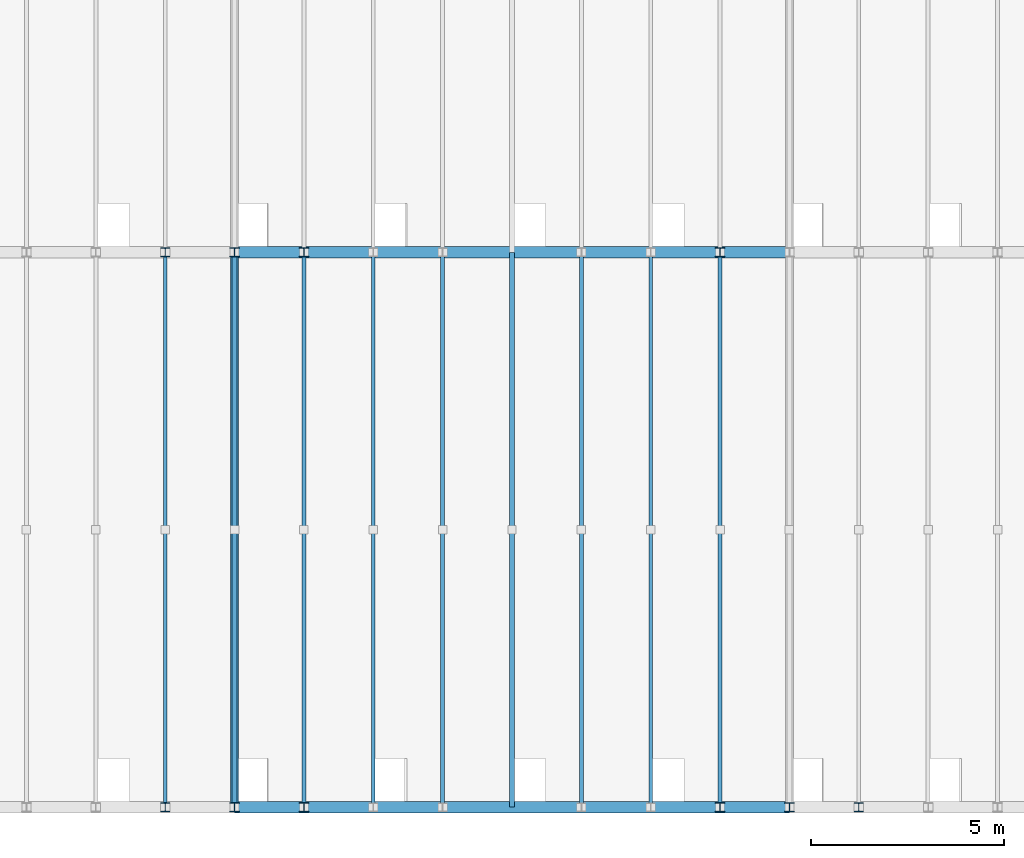
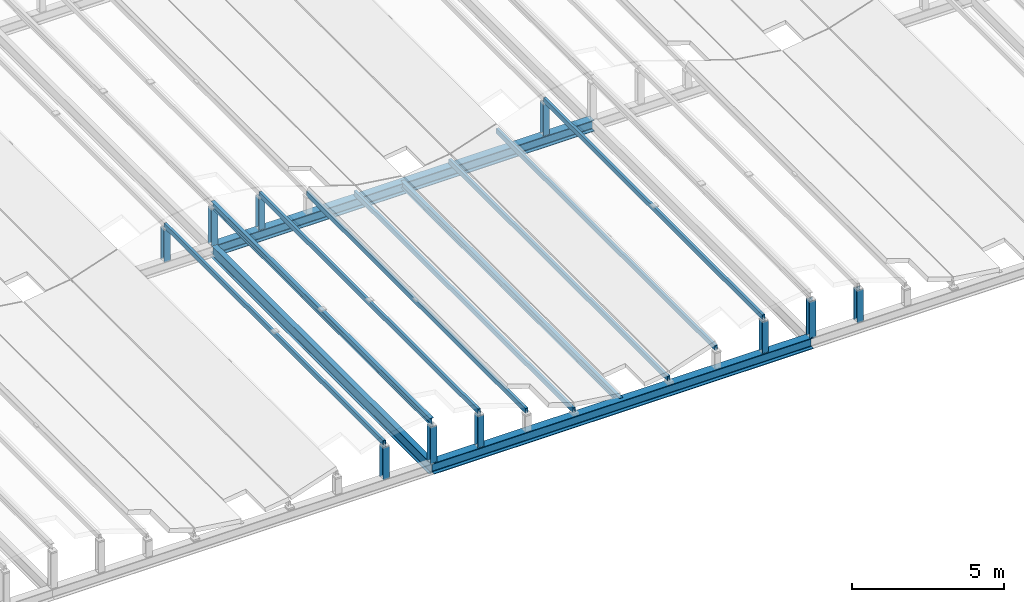
# One storey, part 25 of 83: 19 members, 3 beams.
"""IFC4 building model written with IfcOpenShell, lengths in metres."""

from ifc_helpers import new_model, si_unit, direction, frame, origin, origin_2d, place, context, subcontext, project, spatial, hollow_rectangle, i_section, extrude, material, material_profile, profile_set, type_object, element, save


model = new_model("IFC4")

# Units and contexts
model_context = context("Model", 3, precision=1e-05, world=origin(), true_north=direction((0.0, 1.0)))
body_context = subcontext(model_context, "Body", "Model", "MODEL_VIEW")
ifc_project = project(units=[si_unit("LENGTHUNIT", "METRE"), si_unit("AREAUNIT", "SQUARE_METRE"), si_unit("VOLUMEUNIT", "CUBIC_METRE"), si_unit("PLANEANGLEUNIT", "RADIAN"), si_unit("MASSUNIT", "GRAM", prefix="KILO")], contexts=[model_context])

# Site, building, storey
site_placement = place(None, origin())
site = spatial("IfcSite", under=ifc_project, at=site_placement, CompositionType="ELEMENT")
building_placement = place(site_placement, origin())
building = spatial("IfcBuilding", under=site, at=building_placement, Name="Leyfeld Transit Interchange", CompositionType="ELEMENT")
storey_placement = place(building_placement, frame((0.0, 0.0, 5.39990234375)))
storey = spatial("IfcBuildingStorey", under=building, at=storey_placement, Name="L01", CompositionType="ELEMENT", Elevation=5.39990234375)

# Beams
ifc_material = material(Name="Steel S355J2", Category="steel")
ifc_material_profile_1 = material_profile(ifc_material, i_section(OverallWidth=0.300048828125, OverallDepth=0.449951171875, WebThickness=0.013916015625, FlangeThickness=0.02587890625, FilletRadius=0.027099609375, at=origin_2d()), Name="HEB 450")
ifc_profile_set_1 = profile_set([ifc_material_profile_1], Name="Steel S355J2")
beam_type_1 = type_object("IfcBeamType", Name="BM-STL-HEB450", PredefinedType="JOIST", material=ifc_profile_set_1)
for number, where, z_axis, x_axis, name in (
    (1, (129.60009765625, 0.0, 0.675048828125), (1.0, 0.0, 0.0), (0.0, 1.0, 0.0), "Bus Canopy Longitudinal Girder R1 B3"),
    (2, (129.60009765625, 14.39990234375, 0.675048828125), (1.0, 0.0, 0.0), (0.0, 1.0, 0.0), "Bus Canopy Longitudinal Girder R2 B3"),
):
    element("IfcBeam", number, at=place(storey_placement, frame(where, z_axis=z_axis, x_axis=x_axis)), inside=storey, type_object=beam_type_1, Name=name, PredefinedType="JOIST", context=body_context, shape_type="SweptSolid", body=[
        extrude(i_section(OverallWidth=0.300048828125, OverallDepth=0.449951171875, WebThickness=0.013916015625, FlangeThickness=0.02587890625, FilletRadius=0.027099609375, at=origin_2d()), origin(), (0.0, 0.0, 1.0), 14.39990234375),
    ])
ifc_material_profile_2 = material_profile(ifc_material, i_section(OverallWidth=0.199951171875, OverallDepth=0.5, WebThickness=0.01025390625, FlangeThickness=0.01611328125, FilletRadius=0.02099609375, at=origin_2d()), Name="IPE 500")
ifc_profile_set_2 = profile_set([ifc_material_profile_2], Name="Steel S355J2")
beam_type_2 = type_object("IfcBeamType", Name="BM-STL-IPE500", PredefinedType="BEAM", material=ifc_profile_set_2)
beam_placement = place(storey_placement, frame((129.60009765625, 0.0, 0.650146484375), z_axis=(0.0, 1.0, 0.0), x_axis=(-1.0, 0.0, 0.0)))
element("IfcBeam", 3, at=beam_placement, inside=storey, type_object=beam_type_2, Name="Bus Canopy Transverse Portal Girder B3 R1", PredefinedType="BEAM", context=body_context, shape_type="SweptSolid", body=[
    extrude(i_section(OverallWidth=0.199951171875, OverallDepth=0.5, WebThickness=0.01025390625, FlangeThickness=0.01611328125, FilletRadius=0.02099609375, at=origin_2d()), origin(), (0.0, 0.0, 1.0), 14.39990234375),
])

# Members
ifc_material_profile_3 = material_profile(ifc_material, i_section(OverallWidth=0.239990234375, OverallDepth=0.22998046875, WebThickness=0.007568359375, FlangeThickness=0.011962890625, FilletRadius=0.02099609375, at=origin_2d()), Name="HEA 240")
ifc_profile_set_3 = profile_set([ifc_material_profile_3], Name="Steel S355J2")
member_type_1 = type_object("IfcMemberType", Name="MEM-CHD-HEA240", PredefinedType="CHORD", material=ifc_profile_set_3)
member_1_placement = place(storey_placement, frame((127.800048828125, 0.0, 0.860107421875), z_axis=(0.0, 0.0, 1.0), x_axis=(1.0, 0.0, 0.0)))
element("IfcMember", 4, at=member_1_placement, inside=storey, type_object=member_type_1, Name="Wave Canopy Riser Post 099", PredefinedType="CHORD", context=body_context, shape_type="SweptSolid", body=[
    extrude(i_section(OverallWidth=0.239990234375, OverallDepth=0.22998046875, WebThickness=0.007568359375, FlangeThickness=0.011962890625, FilletRadius=0.02099609375, at=origin_2d()), origin(), (0.0, 0.0, 1.0), 1.2998046875),
])
member_2_placement = place(storey_placement, frame((127.800048828125, 14.39990234375, 0.860107421875), z_axis=(0.0, 0.0, 1.0), x_axis=(1.0, 0.0, 0.0)))
element("IfcMember", 5, at=member_2_placement, inside=storey, type_object=member_type_1, Name="Wave Canopy Riser Post 101", PredefinedType="CHORD", context=body_context, shape_type="SweptSolid", body=[
    extrude(i_section(OverallWidth=0.239990234375, OverallDepth=0.22998046875, WebThickness=0.007568359375, FlangeThickness=0.011962890625, FilletRadius=0.02099609375, at=origin_2d()), origin(), (0.0, 0.0, 1.0), 1.3154296875),
])
member_3_placement = place(storey_placement, frame((129.60009765625, 0.0, 0.860107421875), z_axis=(0.0, 0.0, 1.0), x_axis=(1.0, 0.0, 0.0)))
element("IfcMember", 6, at=member_3_placement, inside=storey, type_object=member_type_1, Name="Wave Canopy Riser Post 106", PredefinedType="CHORD", context=body_context, shape_type="SweptSolid", body=[
    extrude(i_section(OverallWidth=0.239990234375, OverallDepth=0.22998046875, WebThickness=0.007568359375, FlangeThickness=0.011962890625, FilletRadius=0.02099609375, at=origin_2d()), origin(), (0.0, 0.0, 1.0), 1.488037109375),
])
member_4_placement = place(storey_placement, frame((129.60009765625, 14.39990234375, 0.860107421875), z_axis=(0.0, 0.0, 1.0), x_axis=(1.0, 0.0, 0.0)))
element("IfcMember", 7, at=member_4_placement, inside=storey, type_object=member_type_1, Name="Wave Canopy Riser Post 108", PredefinedType="CHORD", context=body_context, shape_type="SweptSolid", body=[
    extrude(i_section(OverallWidth=0.239990234375, OverallDepth=0.22998046875, WebThickness=0.007568359375, FlangeThickness=0.011962890625, FilletRadius=0.02099609375, at=origin_2d()), origin(), (0.0, 0.0, 1.0), 1.503173828125),
])
member_5_placement = place(storey_placement, frame((131.39990234375, 0.0, 0.860107421875), z_axis=(0.0, 0.0, 1.0), x_axis=(1.0, 0.0, 0.0)))
element("IfcMember", 8, at=member_5_placement, inside=storey, type_object=member_type_1, Name="Wave Canopy Riser Post 113", PredefinedType="CHORD", context=body_context, shape_type="SweptSolid", body=[
    extrude(i_section(OverallWidth=0.239990234375, OverallDepth=0.22998046875, WebThickness=0.007568359375, FlangeThickness=0.011962890625, FilletRadius=0.02099609375, at=origin_2d()), origin(), (0.0, 0.0, 1.0), 1.2998046875),
])
member_6_placement = place(storey_placement, frame((131.39990234375, 14.39990234375, 0.860107421875), z_axis=(0.0, 0.0, 1.0), x_axis=(1.0, 0.0, 0.0)))
element("IfcMember", 9, at=member_6_placement, inside=storey, type_object=member_type_1, Name="Wave Canopy Riser Post 115", PredefinedType="CHORD", context=body_context, shape_type="SweptSolid", body=[
    extrude(i_section(OverallWidth=0.239990234375, OverallDepth=0.22998046875, WebThickness=0.007568359375, FlangeThickness=0.011962890625, FilletRadius=0.02099609375, at=origin_2d()), origin(), (0.0, 0.0, 1.0), 1.3154296875),
])
member_7_placement = place(storey_placement, frame((142.199951171875, 0.0, 0.860107421875), z_axis=(0.0, 0.0, 1.0), x_axis=(1.0, 0.0, 0.0)))
element("IfcMember", 10, at=member_7_placement, inside=storey, type_object=member_type_1, Name="Wave Canopy Riser Post 151", PredefinedType="CHORD", context=body_context, shape_type="SweptSolid", body=[
    extrude(i_section(OverallWidth=0.239990234375, OverallDepth=0.22998046875, WebThickness=0.007568359375, FlangeThickness=0.011962890625, FilletRadius=0.02099609375, at=origin_2d()), origin(), (0.0, 0.0, 1.0), 1.2998046875),
])
member_8_placement = place(storey_placement, frame((142.199951171875, 14.39990234375, 0.860107421875), z_axis=(0.0, 0.0, 1.0), x_axis=(1.0, 0.0, 0.0)))
element("IfcMember", 11, at=member_8_placement, inside=storey, type_object=member_type_1, Name="Wave Canopy Riser Post 153", PredefinedType="CHORD", context=body_context, shape_type="SweptSolid", body=[
    extrude(i_section(OverallWidth=0.239990234375, OverallDepth=0.22998046875, WebThickness=0.007568359375, FlangeThickness=0.011962890625, FilletRadius=0.02099609375, at=origin_2d()), origin(), (0.0, 0.0, 1.0), 1.3154296875),
])
member_9_placement = place(storey_placement, frame((144.0, 0.0, 0.860107421875), z_axis=(0.0, 0.0, 1.0), x_axis=(1.0, 0.0, 0.0)))
element("IfcMember", 12, at=member_9_placement, inside=storey, type_object=member_type_1, Name="Wave Canopy Riser Post 158", PredefinedType="CHORD", context=body_context, shape_type="SweptSolid", body=[
    extrude(i_section(OverallWidth=0.239990234375, OverallDepth=0.22998046875, WebThickness=0.007568359375, FlangeThickness=0.011962890625, FilletRadius=0.02099609375, at=origin_2d()), origin(), (0.0, 0.0, 1.0), 1.488037109375),
])
member_10_placement = place(storey_placement, frame((145.800048828125, 0.0, 0.860107421875), z_axis=(0.0, 0.0, 1.0), x_axis=(1.0, 0.0, 0.0)))
element("IfcMember", 13, at=member_10_placement, inside=storey, type_object=member_type_1, Name="Wave Canopy Riser Post 165", PredefinedType="CHORD", context=body_context, shape_type="SweptSolid", body=[
    extrude(i_section(OverallWidth=0.239990234375, OverallDepth=0.22998046875, WebThickness=0.007568359375, FlangeThickness=0.011962890625, FilletRadius=0.02099609375, at=origin_2d()), origin(), (0.0, 0.0, 1.0), 1.2998046875),
])
ifc_material_profile_4 = material_profile(ifc_material, i_section(OverallWidth=0.135009765625, OverallDepth=0.27001953125, WebThickness=0.006591796875, FlangeThickness=0.01025390625, FilletRadius=0.014892578125, at=origin_2d()), Name="IPE 270")
ifc_profile_set_4 = profile_set([ifc_material_profile_4], Name="Steel S355J2")
member_type_2 = type_object("IfcMemberType", Name="MEM-PUR-IPE270", PredefinedType="PURLIN", material=ifc_profile_set_4)
for number, where, z_axis, x_axis, name in (
    (14, (129.60009765625, 0.0, 2.483154296875), (0.0, 1.0, 0.0), (-1.0, 0.0, 0.0), "Bus Canopy Purlin 105"),
    (15, (136.800048828125, 0.0, 0.777587890625), (0.0, 1.0, 0.0), (-1.0, 0.0, 0.0), "Bus Canopy Purlin 133"),
):
    element("IfcMember", number, at=place(storey_placement, frame(where, z_axis=z_axis, x_axis=x_axis)), inside=storey, type_object=member_type_2, Name=name, PredefinedType="PURLIN", context=body_context, shape_type="SweptSolid", body=[
        extrude(i_section(OverallWidth=0.135009765625, OverallDepth=0.27001953125, WebThickness=0.006591796875, FlangeThickness=0.01025390625, FilletRadius=0.014892578125, at=origin_2d()), origin(), (0.0, 0.0, 1.0), 14.39990234375),
    ])
ifc_material_profile_5 = material_profile(ifc_material, hollow_rectangle(XDim=0.10009765625, YDim=0.199951171875, WallThickness=0.008056640625, at=origin_2d()), Name="RHS 200x100x8")
ifc_profile_set_5 = profile_set([ifc_material_profile_5], Name="Steel S355J2")
member_type_3 = type_object("IfcMemberType", Name="MEM-PUR-RHS200", PredefinedType="PURLIN", material=ifc_profile_set_5)
for number, where, z_axis, x_axis, name in (
    (16, (127.800048828125, 0.0, 2.259765625), (0.0, 1.0, 0.0), (-1.0, 0.0, 0.0), "Bus Canopy Purlin 098"),
    (17, (131.39990234375, 0.0, 2.259765625), (0.0, 1.0, 0.0), (-1.0, 0.0, 0.0), "Bus Canopy Purlin 112"),
    (18, (133.199951171875, 0.0, 1.656494140625), (0.0, 1.0, 0.0), (-1.0, 0.0, 0.0), "Bus Canopy Purlin 119"),
    (19, (135.0, 0.0, 1.0546875), (0.0, 1.0, 0.0), (-1.0, 0.0, 0.0), "Bus Canopy Purlin 126"),
    (20, (138.60009765625, 0.0, 1.0546875), (0.0, 1.0, 0.0), (-1.0, 0.0, 0.0), "Bus Canopy Purlin 136"),
    (21, (140.39990234375, 0.0, 1.656494140625), (0.0, 1.0, 0.0), (-1.0, 0.0, 0.0), "Bus Canopy Purlin 143"),
    (22, (142.199951171875, 0.0, 2.259765625), (0.0, 1.0, 0.0), (-1.0, 0.0, 0.0), "Bus Canopy Purlin 150"),
):
    element("IfcMember", number, at=place(storey_placement, frame(where, z_axis=z_axis, x_axis=x_axis)), inside=storey, type_object=member_type_3, Name=name, PredefinedType="PURLIN", context=body_context, shape_type="SweptSolid", body=[
        extrude(hollow_rectangle(XDim=0.10009765625, YDim=0.199951171875, WallThickness=0.008056640625, at=origin_2d()), origin(), (0.0, 0.0, 1.0), 14.39990234375),
    ])

save(model, "model.ifc")
